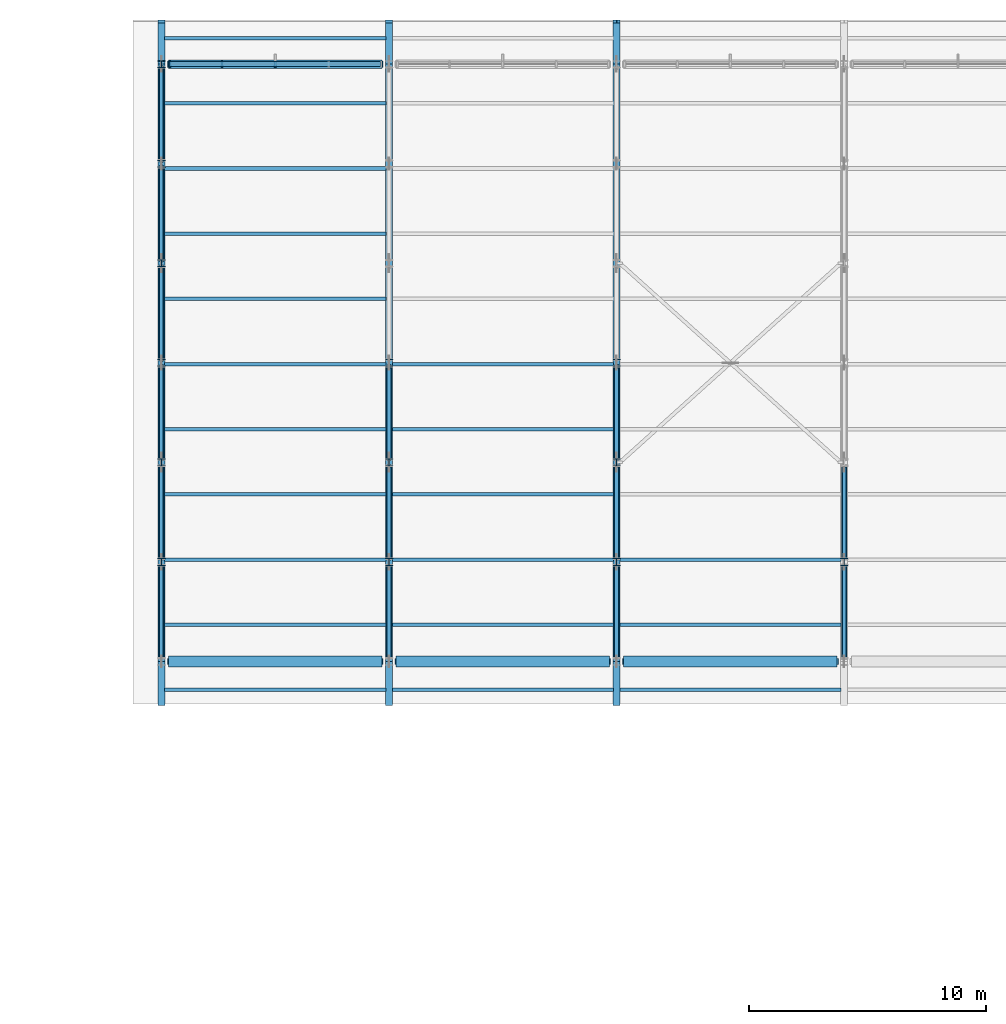
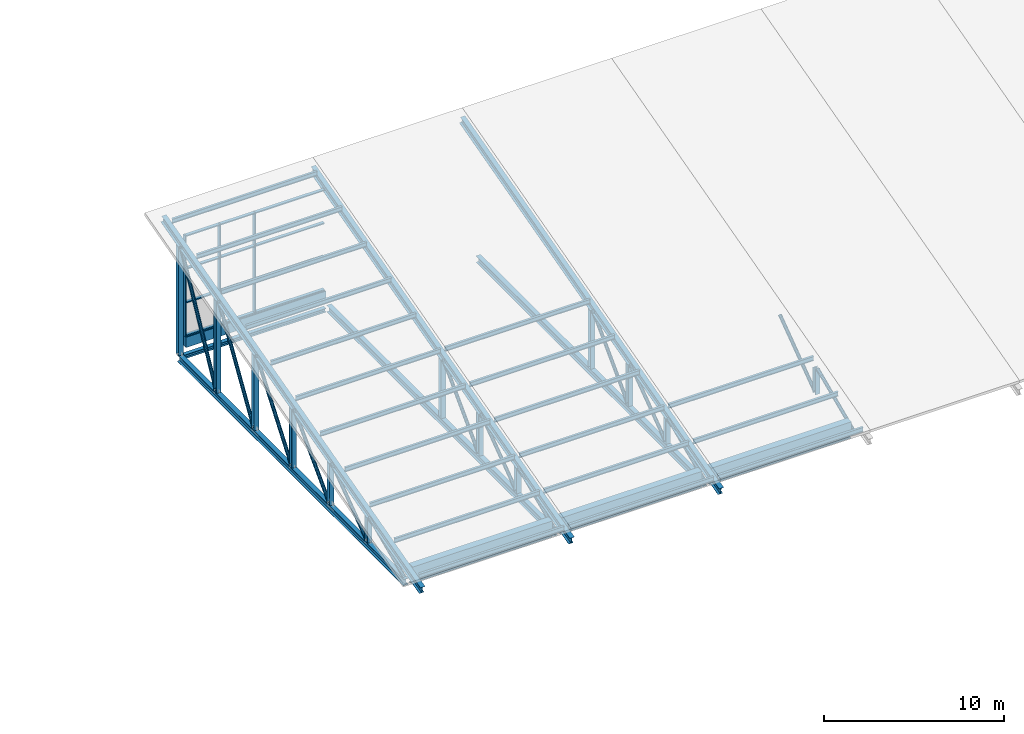
# One storey, part 4 of 37: 58 members, 10 beams, 1 element without a shape of its own.
"""IFC4 building model written with IfcOpenShell, lengths in metres."""

from ifc_helpers import new_model, si_unit, direction, frame, origin, origin_2d, place, context, subcontext, project, spatial, rectangle, hollow_circle, i_section, extrude, material, material_profile, profile_set, type_object, element, aggregate, save


model = new_model("IFC4")

# Units and contexts
model_context = context("Model", 3, precision=1e-05, world=origin(), true_north=direction((0.0, 1.0)))
body_context = subcontext(model_context, "Body", "Model", "MODEL_VIEW")
ifc_project = project(units=[si_unit("LENGTHUNIT", "METRE"), si_unit("AREAUNIT", "SQUARE_METRE"), si_unit("VOLUMEUNIT", "CUBIC_METRE"), si_unit("PLANEANGLEUNIT", "RADIAN"), si_unit("MASSUNIT", "GRAM", prefix="KILO")], contexts=[model_context])

# Site, building, storey
site_placement = place(None, origin())
site = spatial("IfcSite", under=ifc_project, at=site_placement, CompositionType="ELEMENT")
building_placement = place(site_placement, origin())
building = spatial("IfcBuilding", under=site, at=building_placement, Name="Shalvenor Court Art Gallery", CompositionType="ELEMENT")
storey_placement = place(building_placement, frame((0.0, 0.0, 22.199951171875)))
storey = spatial("IfcBuildingStorey", under=building, at=storey_placement, Name="L04", CompositionType="ELEMENT", Elevation=22.199951171875)

# Beams
ifc_material_1 = material(Name="Concrete C40/50", Category="concrete")
ifc_material_profile_1 = material_profile(ifc_material_1, rectangle(XDim=0.449951171875, YDim=0.75, at=origin_2d()), Name="RC 450x750")
ifc_profile_set_1 = profile_set([ifc_material_profile_1], Name="Concrete C40/50")
beam_type_1 = type_object("IfcBeamType", Name="B-04", PredefinedType="BEAM", material=ifc_profile_set_1)
for number, where, z_axis, x_axis, name in (
    (1, (57.89990234375, 97.199951171875, -0.675048828125), (1.0, 0.0, 0.0), (0.0, 1.0, 0.0), "L04 Girder BM-L04-B-04-1237"),
    (2, (67.5, 97.199951171875, -0.675048828125), (1.0, 0.0, 0.0), (0.0, 1.0, 0.0), "L04 Girder BM-L04-B-04-1238"),
    (3, (77.10009765625, 97.199951171875, -0.675048828125), (1.0, 0.0, 0.0), (0.0, 1.0, 0.0), "L04 Girder BM-L04-B-04-1239"),
):
    element("IfcBeam", number, at=place(storey_placement, frame(where, z_axis=z_axis, x_axis=x_axis)), inside=storey, type_object=beam_type_1, Name=name, PredefinedType="BEAM", context=body_context, shape_type="SweptSolid", body=[
        extrude(rectangle(XDim=0.449951171875, YDim=0.75, at=origin_2d()), origin(), (0.0, 0.0, 1.0), 9.0),
    ])

# Curtain wall, members
ifc_material_2 = material(Name="Anodised aluminium and low-iron glass curtain wall", Category="aluminium")
curtain_wall_type = type_object("IfcCurtainWallType", Name="CW-NL-V2", PredefinedType="USERDEFINED", material=ifc_material_2)
curtain_wall_placement = place(storey_placement, origin())
curtain_wall = element("IfcCurtainWall", 4, at=curtain_wall_placement, inside=storey, type_object=curtain_wall_type, Name="L04 V2 North Light Clerestory 1", ObjectType="CURTAIN WALL", PredefinedType="USERDEFINED")
ifc_material_3 = material(Name="Dark anodised bronze aluminium mullion", Category="aluminium")
ifc_material_profile_2 = material_profile(ifc_material_3, rectangle(XDim=0.080078125, YDim=0.239990234375, at=origin_2d()), Name="CWM-05")
ifc_profile_set_2 = profile_set([ifc_material_profile_2], Name="Dark anodised bronze aluminium mullion")
member_type_1 = type_object("IfcMemberType", Name="CWM-05", PredefinedType="MULLION", material=ifc_profile_set_2)
member_1_placement = place(storey_placement, frame((57.93994140625, 122.39990234375, 0.0), z_axis=(0.0, 0.0, 1.0), x_axis=(1.0, 0.0, 0.0)))
member_1 = element("IfcMember", 5, at=member_1_placement, type_object=member_type_1, Name="CW-NL-V2 mullion 1", PredefinedType="MULLION", context=body_context, shape_type="SweptSolid", body=[
    extrude(rectangle(XDim=0.080078125, YDim=0.239990234375, at=origin_2d()), origin(), (0.0, 0.0, 1.0), 6.85009765625),
])
member_2_placement = place(storey_placement, frame((60.14990234375, 122.39990234375, 0.0), z_axis=(0.0, 0.0, 1.0), x_axis=(1.0, 0.0, 0.0)))
member_2 = element("IfcMember", 6, at=member_2_placement, type_object=member_type_1, Name="CW-NL-V2 mullion 2", PredefinedType="MULLION", context=body_context, shape_type="SweptSolid", body=[
    extrude(rectangle(XDim=0.080078125, YDim=0.239990234375, at=origin_2d()), origin(), (0.0, 0.0, 1.0), 6.85009765625),
])
member_3_placement = place(storey_placement, frame((62.39990234375, 122.39990234375, 0.0), z_axis=(0.0, 0.0, 1.0), x_axis=(1.0, 0.0, 0.0)))
member_3 = element("IfcMember", 7, at=member_3_placement, type_object=member_type_1, Name="CW-NL-V2 mullion 3", PredefinedType="MULLION", context=body_context, shape_type="SweptSolid", body=[
    extrude(rectangle(XDim=0.080078125, YDim=0.239990234375, at=origin_2d()), origin(), (0.0, 0.0, 1.0), 6.85009765625),
])
ifc_material_4 = material(Name="Dark anodised bronze aluminium transom", Category="aluminium")
ifc_material_profile_3 = material_profile(ifc_material_4, rectangle(XDim=0.2099609375, YDim=0.074951171875, at=origin_2d()), Name="CWT-05")
ifc_profile_set_3 = profile_set([ifc_material_profile_3], Name="Dark anodised bronze aluminium transom")
member_type_2 = type_object("IfcMemberType", Name="CWT-05", PredefinedType="USERDEFINED", material=ifc_profile_set_3)
member_4_placement = place(storey_placement, frame((57.93994140625, 122.39990234375, 0.03759765625), z_axis=(1.0, 0.0, 0.0), x_axis=(0.0, 1.0, 0.0)))
member_4 = element("IfcMember", 8, at=member_4_placement, type_object=member_type_2, Name="CW-NL-V2 transom 1", ObjectType="TRANSOM", PredefinedType="USERDEFINED", context=body_context, shape_type="SweptSolid", body=[
    extrude(rectangle(XDim=0.2099609375, YDim=0.074951171875, at=origin_2d()), origin(), (0.0, 0.0, 1.0), 8.920166015625),
])
member_5_placement = place(storey_placement, frame((57.93994140625, 122.39990234375, 2.283447265625), z_axis=(1.0, 0.0, 0.0), x_axis=(0.0, 1.0, 0.0)))
member_5 = element("IfcMember", 9, at=member_5_placement, type_object=member_type_2, Name="CW-NL-V2 transom 2", ObjectType="TRANSOM", PredefinedType="USERDEFINED", context=body_context, shape_type="SweptSolid", body=[
    extrude(rectangle(XDim=0.2099609375, YDim=0.074951171875, at=origin_2d()), origin(), (0.0, 0.0, 1.0), 8.920166015625),
])
member_6_placement = place(storey_placement, frame((57.93994140625, 122.39990234375, 4.566650390625), z_axis=(1.0, 0.0, 0.0), x_axis=(0.0, 1.0, 0.0)))
member_6 = element("IfcMember", 10, at=member_6_placement, type_object=member_type_2, Name="CW-NL-V2 transom 3", ObjectType="TRANSOM", PredefinedType="USERDEFINED", context=body_context, shape_type="SweptSolid", body=[
    extrude(rectangle(XDim=0.2099609375, YDim=0.074951171875, at=origin_2d()), origin(), (0.0, 0.0, 1.0), 8.920166015625),
])
member_7_placement = place(storey_placement, frame((57.93994140625, 122.39990234375, 6.8125), z_axis=(1.0, 0.0, 0.0), x_axis=(0.0, 1.0, 0.0)))
member_7 = element("IfcMember", 11, at=member_7_placement, type_object=member_type_2, Name="CW-NL-V2 transom 4", ObjectType="TRANSOM", PredefinedType="USERDEFINED", context=body_context, shape_type="SweptSolid", body=[
    extrude(rectangle(XDim=0.2099609375, YDim=0.074951171875, at=origin_2d()), origin(), (0.0, 0.0, 1.0), 8.920166015625),
])
aggregate(curtain_wall, [member_1, member_2, member_3, member_4, member_5, member_6, member_7])

# Members
ifc_material_5 = material(Name="Steel S355", Category="steel")
ifc_material_profile_4 = material_profile(ifc_material_5, i_section(OverallWidth=0.14990234375, OverallDepth=0.300048828125, WebThickness=0.007080078125, FlangeThickness=0.0107421875, at=origin_2d()), Name="IPE 300")
ifc_profile_set_4 = profile_set([ifc_material_profile_4], Name="Steel S355")
member_type_3 = type_object("IfcMemberType", Name="PR-01", PredefinedType="PURLIN", material=ifc_profile_set_4)
for number, where, z_axis, x_axis, name in (
    (12, (57.735107421875, 98.75, 0.5009765625), (1.0, 0.0, 0.0), (0.0, 1.0, 0.0), "L04 V2 Roof Purlin 1.2"),
    (13, (57.735107421875, 101.5, 1.245849609375), (1.0, 0.0, 0.0), (0.0, 1.0, 0.0), "L04 V2 Roof Purlin 1.3"),
    (14, (57.735107421875, 104.25, 1.99072265625), (1.0, 0.0, 0.0), (0.0, 1.0, 0.0), "L04 V2 Roof Purlin 1.4"),
    (15, (57.735107421875, 107.0, 2.7353515625), (1.0, 0.0, 0.0), (0.0, 1.0, 0.0), "L04 V2 Roof Purlin 1.5"),
    (16, (57.735107421875, 109.75, 3.480224609375), (1.0, 0.0, 0.0), (0.0, 1.0, 0.0), "L04 V2 Roof Purlin 1.6"),
    (17, (57.735107421875, 112.5, 4.224853515625), (1.0, 0.0, 0.0), (0.0, 1.0, 0.0), "L04 V2 Roof Purlin 1.7"),
    (18, (57.735107421875, 115.25, 4.9697265625), (1.0, 0.0, 0.0), (0.0, 1.0, 0.0), "L04 V2 Roof Purlin 1.8"),
    (19, (57.735107421875, 118.0, 5.714599609375), (1.0, 0.0, 0.0), (0.0, 1.0, 0.0), "L04 V2 Roof Purlin 1.9"),
    (20, (57.735107421875, 120.75, 6.459228515625), (1.0, 0.0, 0.0), (0.0, 1.0, 0.0), "L04 V2 Roof Purlin 1.10"),
):
    element("IfcMember", number, at=place(storey_placement, frame(where, z_axis=z_axis, x_axis=x_axis)), inside=storey, type_object=member_type_3, Name=name, PredefinedType="PURLIN", context=body_context, shape_type="SweptSolid", body=[
        extrude(i_section(OverallWidth=0.14990234375, OverallDepth=0.300048828125, WebThickness=0.007080078125, FlangeThickness=0.0107421875, at=origin_2d()), origin(), (0.0, 0.0, 1.0), 9.329833984375),
    ])
for number, where, z_axis, x_axis, name in (
    (21, (67.3349609375, 98.75, 0.5009765625), (1.0, 0.0, 0.0), (0.0, 1.0, 0.0), "L04 V2 Roof Purlin 2.2"),
    (22, (67.3349609375, 101.5, 1.245849609375), (1.0, 0.0, 0.0), (0.0, 1.0, 0.0), "L04 V2 Roof Purlin 2.3"),
    (23, (67.3349609375, 104.25, 1.99072265625), (1.0, 0.0, 0.0), (0.0, 1.0, 0.0), "L04 V2 Roof Purlin 2.4"),
    (24, (67.3349609375, 107.0, 2.7353515625), (1.0, 0.0, 0.0), (0.0, 1.0, 0.0), "L04 V2 Roof Purlin 2.5"),
    (25, (67.3349609375, 109.75, 3.480224609375), (1.0, 0.0, 0.0), (0.0, 1.0, 0.0), "L04 V2 Roof Purlin 2.6"),
):
    element("IfcMember", number, at=place(storey_placement, frame(where, z_axis=z_axis, x_axis=x_axis)), inside=storey, type_object=member_type_3, Name=name, PredefinedType="PURLIN", context=body_context, shape_type="SweptSolid", body=[
        extrude(i_section(OverallWidth=0.14990234375, OverallDepth=0.300048828125, WebThickness=0.007080078125, FlangeThickness=0.0107421875, at=origin_2d()), origin(), (0.0, 0.0, 1.0), 9.330078125),
    ])
for number, where, z_axis, x_axis, name in (
    (26, (76.93505859375, 98.75, 0.5009765625), (1.0, 0.0, 0.0), (0.0, 1.0, 0.0), "L04 V2 Roof Purlin 3.2"),
    (27, (76.93505859375, 101.5, 1.245849609375), (1.0, 0.0, 0.0), (0.0, 1.0, 0.0), "L04 V2 Roof Purlin 3.3"),
):
    element("IfcMember", number, at=place(storey_placement, frame(where, z_axis=z_axis, x_axis=x_axis)), inside=storey, type_object=member_type_3, Name=name, PredefinedType="PURLIN", context=body_context, shape_type="SweptSolid", body=[
        extrude(i_section(OverallWidth=0.14990234375, OverallDepth=0.300048828125, WebThickness=0.007080078125, FlangeThickness=0.0107421875, at=origin_2d()), origin(), (0.0, 0.0, 1.0), 9.329833984375),
    ])
ifc_material_6 = material(Name="Steel S355", Category="steel")
ifc_material_profile_5 = material_profile(ifc_material_6, i_section(OverallWidth=0.14990234375, OverallDepth=0.300048828125, WebThickness=0.007080078125, FlangeThickness=0.0107421875, at=origin_2d()), Name="IPE 300")
ifc_profile_set_5 = profile_set([ifc_material_profile_5], Name="Steel S355")
member_type_4 = type_object("IfcMemberType", Name="PR-03", PredefinedType="PURLIN", material=ifc_profile_set_5)
for number, where, z_axis, x_axis, name in (
    (28, (57.735107421875, 96.0, -0.24365234375), (1.0, 0.0, 0.0), (0.0, 1.0, 0.0), "L04 V2 Roof Purlin 1.1"),
    (29, (57.735107421875, 123.5, 7.2041015625), (1.0, 0.0, 0.0), (0.0, 1.0, 0.0), "L04 V2 Roof Purlin 1.11"),
):
    element("IfcMember", number, at=place(storey_placement, frame(where, z_axis=z_axis, x_axis=x_axis)), inside=storey, type_object=member_type_4, Name=name, PredefinedType="PURLIN", context=body_context, shape_type="SweptSolid", body=[
        extrude(i_section(OverallWidth=0.14990234375, OverallDepth=0.300048828125, WebThickness=0.007080078125, FlangeThickness=0.0107421875, at=origin_2d()), origin(), (0.0, 0.0, 1.0), 9.329833984375),
    ])
member_8_placement = place(storey_placement, frame((67.3349609375, 96.0, -0.24365234375), z_axis=(1.0, 0.0, 0.0), x_axis=(0.0, 1.0, 0.0)))
element("IfcMember", 30, at=member_8_placement, inside=storey, type_object=member_type_4, Name="L04 V2 Roof Purlin 2.1", PredefinedType="PURLIN", context=body_context, shape_type="SweptSolid", body=[
    extrude(i_section(OverallWidth=0.14990234375, OverallDepth=0.300048828125, WebThickness=0.007080078125, FlangeThickness=0.0107421875, at=origin_2d()), origin(), (0.0, 0.0, 1.0), 9.330078125),
])
member_9_placement = place(storey_placement, frame((76.93505859375, 96.0, -0.24365234375), z_axis=(1.0, 0.0, 0.0), x_axis=(0.0, 1.0, 0.0)))
element("IfcMember", 31, at=member_9_placement, inside=storey, type_object=member_type_4, Name="L04 V2 Roof Purlin 3.1", PredefinedType="PURLIN", context=body_context, shape_type="SweptSolid", body=[
    extrude(i_section(OverallWidth=0.14990234375, OverallDepth=0.300048828125, WebThickness=0.007080078125, FlangeThickness=0.0107421875, at=origin_2d()), origin(), (0.0, 0.0, 1.0), 9.329833984375),
])

# Beams
ifc_material_7 = material(Name="Concrete C40/50", Category="concrete")
ifc_material_profile_6 = material_profile(ifc_material_7, rectangle(XDim=0.35009765625, YDim=0.699951171875, at=origin_2d()), Name="RC 350x700")
ifc_profile_set_6 = profile_set([ifc_material_profile_6], Name="Concrete C40/50")
beam_type_2 = type_object("IfcBeamType", Name="SP-01", PredefinedType="SPANDREL", material=ifc_profile_set_6)
beam_placement = place(storey_placement, frame((57.89990234375, 122.39990234375, -0.349853515625), z_axis=(1.0, 0.0, 0.0), x_axis=(0.0, 1.0, 0.0)))
element("IfcBeam", 32, at=beam_placement, inside=storey, type_object=beam_type_2, Name="L04 Spandrel Girder BM-L04-SP-01-1248", PredefinedType="SPANDREL", context=body_context, shape_type="SweptSolid", body=[
    extrude(rectangle(XDim=0.35009765625, YDim=0.699951171875, at=origin_2d()), origin(), (0.0, 0.0, 1.0), 9.0),
])
ifc_material_8 = material(Name="Steel S355", Category="steel")
ifc_material_profile_7 = material_profile(ifc_material_8, i_section(OverallWidth=0.300048828125, OverallDepth=0.489990234375, WebThickness=0.011962890625, FlangeThickness=0.02294921875, at=origin_2d()), Name="HEA 500")
ifc_profile_set_7 = profile_set([ifc_material_profile_7], Name="Steel S355")
beam_type_3 = type_object("IfcBeamType", Name="TC-01", PredefinedType="USERDEFINED", material=ifc_profile_set_7)
for number, where, z_axis, x_axis, name in (
    (33, (57.60009765625, 95.39990234375, -0.793212890625), (0.0, 0.965226070832, 0.261416587437), (-1.0, 0.0, 0.0), "TR-V2-01 Roof Truss Continuous Top Chord"),
    (34, (67.199951171875, 95.39990234375, -0.793212890625), (0.0, 0.965226070832, 0.261416587437), (-1.0, 0.0, 0.0), "TR-V2-02 Roof Truss Continuous Top Chord"),
    (35, (76.800048828125, 95.39990234375, -0.793212890625), (0.0, 0.965226070832, 0.261416587437), (-1.0, 0.0, 0.0), "TR-V2-03 Roof Truss Continuous Top Chord"),
):
    element("IfcBeam", number, at=place(storey_placement, frame(where, z_axis=z_axis, x_axis=x_axis)), inside=storey, type_object=beam_type_3, Name=name, ObjectType="ROOF TRUSS", PredefinedType="USERDEFINED", context=body_context, shape_type="SweptSolid", body=[
        extrude(i_section(OverallWidth=0.300048828125, OverallDepth=0.489990234375, WebThickness=0.011962890625, FlangeThickness=0.02294921875, at=origin_2d()), origin(), (0.0, 0.0, 1.0), 29.837646484375),
    ])
ifc_material_9 = material(Name="Steel S355", Category="steel")
ifc_material_profile_8 = material_profile(ifc_material_9, i_section(OverallWidth=0.300048828125, OverallDepth=0.449951171875, WebThickness=0.013916015625, FlangeThickness=0.02587890625, at=origin_2d()), Name="HEB 450")
ifc_profile_set_8 = profile_set([ifc_material_profile_8], Name="Steel S355")
beam_type_4 = type_object("IfcBeamType", Name="TC-03", PredefinedType="USERDEFINED", material=ifc_profile_set_8)
for number, where, z_axis, x_axis, name in (
    (36, (57.60009765625, 97.199951171875, -1.349853515625), (0.0, 1.0, 0.0), (-1.0, 0.0, 0.0), "TR-V2-01 Roof Truss Continuous Bottom Chord"),
    (37, (67.199951171875, 97.199951171875, -1.349853515625), (0.0, 1.0, 0.0), (-1.0, 0.0, 0.0), "TR-V2-02 Roof Truss Continuous Bottom Chord"),
    (38, (76.800048828125, 97.199951171875, -1.349853515625), (0.0, 1.0, 0.0), (-1.0, 0.0, 0.0), "TR-V2-03 Roof Truss Continuous Bottom Chord"),
):
    element("IfcBeam", number, at=place(storey_placement, frame(where, z_axis=z_axis, x_axis=x_axis)), inside=storey, type_object=beam_type_4, Name=name, ObjectType="ROOF TRUSS", PredefinedType="USERDEFINED", context=body_context, shape_type="SweptSolid", body=[
        extrude(i_section(OverallWidth=0.300048828125, OverallDepth=0.449951171875, WebThickness=0.013916015625, FlangeThickness=0.02587890625, at=origin_2d()), origin(), (0.0, 0.0, 1.0), 25.199951171875),
    ])

# Members
ifc_material_10 = material(Name="Steel S355", Category="steel")
ifc_material_profile_9 = material_profile(ifc_material_10, i_section(OverallWidth=0.260009765625, OverallDepth=0.260009765625, WebThickness=0.010009765625, FlangeThickness=0.017578125, at=origin_2d()), Name="HEB 260")
ifc_profile_set_9 = profile_set([ifc_material_profile_9], Name="Steel S355")
member_type_5 = type_object("IfcMemberType", Name="TM-C1", PredefinedType="CHORD", material=ifc_profile_set_9)
for number, where, z_axis, x_axis, name in (
    (39, (57.85009765625, 97.199951171875, -1.349853515625), (1.0, 0.0, 0.0), (0.0, 1.0, 0.0), "L04 V2 Eave Truss Chord Tie 1.1"),
    (40, (57.85009765625, 122.39990234375, -1.349853515625), (1.0, 0.0, 0.0), (0.0, 1.0, 0.0), "L04 V2 Eave Truss Chord Tie 1.2"),
):
    element("IfcMember", number, at=place(storey_placement, frame(where, z_axis=z_axis, x_axis=x_axis)), inside=storey, type_object=member_type_5, Name=name, PredefinedType="CHORD", context=body_context, shape_type="SweptSolid", body=[
        extrude(i_section(OverallWidth=0.260009765625, OverallDepth=0.260009765625, WebThickness=0.010009765625, FlangeThickness=0.017578125, at=origin_2d()), origin(), (0.0, 0.0, 1.0), 9.099853515625),
    ])
member_10_placement = place(storey_placement, frame((67.449951171875, 97.199951171875, -1.349853515625), z_axis=(1.0, 0.0, 0.0), x_axis=(0.0, 1.0, 0.0)))
element("IfcMember", 41, at=member_10_placement, inside=storey, type_object=member_type_5, Name="L04 V2 Eave Truss Chord Tie 2.1", PredefinedType="CHORD", context=body_context, shape_type="SweptSolid", body=[
    extrude(i_section(OverallWidth=0.260009765625, OverallDepth=0.260009765625, WebThickness=0.010009765625, FlangeThickness=0.017578125, at=origin_2d()), origin(), (0.0, 0.0, 1.0), 9.10009765625),
])
member_11_placement = place(storey_placement, frame((77.050048828125, 97.199951171875, -1.349853515625), z_axis=(1.0, 0.0, 0.0), x_axis=(0.0, 1.0, 0.0)))
element("IfcMember", 42, at=member_11_placement, inside=storey, type_object=member_type_5, Name="L04 V2 Eave Truss Chord Tie 3.1", PredefinedType="CHORD", context=body_context, shape_type="SweptSolid", body=[
    extrude(i_section(OverallWidth=0.260009765625, OverallDepth=0.260009765625, WebThickness=0.010009765625, FlangeThickness=0.017578125, at=origin_2d()), origin(), (0.0, 0.0, 1.0), 9.099853515625),
])
ifc_material_11 = material(Name="Steel S355", Category="steel")
ifc_material_profile_10 = material_profile(ifc_material_11, hollow_circle(Radius=0.109619140625, WallThickness=0.010009765625, at=origin_2d()), Name="CHS 219.1x10.0")
ifc_profile_set_10 = profile_set([ifc_material_profile_10], Name="Steel S355")
member_type_6 = type_object("IfcMemberType", Name="TM-D1", PredefinedType="BRACE", material=ifc_profile_set_10)
member_12_placement = place(storey_placement, frame((57.60009765625, 97.340087890625, -1.135009765625), z_axis=(0.0, 0.914718437716, 0.404091796134), x_axis=(-1.0, 0.0, 0.0)))
element("IfcMember", 43, at=member_12_placement, inside=storey, type_object=member_type_6, Name="TR-V2-01 Roof Truss Diagonal 1", PredefinedType="BRACE", context=body_context, shape_type="SweptSolid", body=[
    extrude(hollow_circle(Radius=0.109619140625, WallThickness=0.010009765625, at=origin_2d()), origin(), (0.0, 0.0, 1.0), 4.285400390625),
])
member_13_placement = place(storey_placement, frame((57.60009765625, 101.5400390625, -1.135009765625), z_axis=(0.0, 0.80694152296, 0.590631338928), x_axis=(-1.0, 0.0, 0.0)))
element("IfcMember", 44, at=member_13_placement, inside=storey, type_object=member_type_6, Name="TR-V2-01 Roof Truss Diagonal 2", PredefinedType="BRACE", context=body_context, shape_type="SweptSolid", body=[
    extrude(hollow_circle(Radius=0.109619140625, WallThickness=0.010009765625, at=origin_2d()), origin(), (0.0, 0.0, 1.0), 4.857666015625),
])
member_14_placement = place(storey_placement, frame((57.60009765625, 105.739990234375, -1.135009765625), z_axis=(0.0, 0.699311572862, 0.714816986411), x_axis=(-1.0, 0.0, 0.0)))
element("IfcMember", 45, at=member_14_placement, inside=storey, type_object=member_type_6, Name="TR-V2-01 Roof Truss Diagonal 3", PredefinedType="BRACE", context=body_context, shape_type="SweptSolid", body=[
    extrude(hollow_circle(Radius=0.109619140625, WallThickness=0.010009765625, at=origin_2d()), origin(), (0.0, 0.0, 1.0), 5.60546875),
])
member_15_placement = place(storey_placement, frame((57.60009765625, 109.93994140625, -1.135009765625), z_axis=(0.0, 0.606112588318, 0.79537885959), x_axis=(-1.0, 0.0, 0.0)))
element("IfcMember", 46, at=member_15_placement, inside=storey, type_object=member_type_6, Name="TR-V2-01 Roof Truss Diagonal 4", PredefinedType="BRACE", context=body_context, shape_type="SweptSolid", body=[
    extrude(hollow_circle(Radius=0.109619140625, WallThickness=0.010009765625, at=origin_2d()), origin(), (0.0, 0.0, 1.0), 6.4677734375),
])
member_16_placement = place(storey_placement, frame((57.60009765625, 114.139892578125, -1.135009765625), z_axis=(0.0, 0.529423853973, 0.848357461713), x_axis=(-1.0, 0.0, 0.0)))
element("IfcMember", 47, at=member_16_placement, inside=storey, type_object=member_type_6, Name="TR-V2-01 Roof Truss Diagonal 5", PredefinedType="BRACE", context=body_context, shape_type="SweptSolid", body=[
    extrude(hollow_circle(Radius=0.109619140625, WallThickness=0.010009765625, at=origin_2d()), origin(), (0.0, 0.0, 1.0), 7.404541015625),
])
member_17_placement = place(storey_placement, frame((57.60009765625, 118.340087890625, -1.135009765625), z_axis=(0.0, 0.467153650575, 0.884176151428), x_axis=(-1.0, 0.0, 0.0)))
element("IfcMember", 48, at=member_17_placement, inside=storey, type_object=member_type_6, Name="TR-V2-01 Roof Truss Diagonal 6", PredefinedType="BRACE", context=body_context, shape_type="SweptSolid", body=[
    extrude(hollow_circle(Radius=0.109619140625, WallThickness=0.010009765625, at=origin_2d()), origin(), (0.0, 0.0, 1.0), 8.39111328125),
])
member_18_placement = place(storey_placement, frame((67.199951171875, 97.340087890625, -1.135009765625), z_axis=(0.0, 0.914718437716, 0.404091796134), x_axis=(-1.0, 0.0, 0.0)))
element("IfcMember", 49, at=member_18_placement, inside=storey, type_object=member_type_6, Name="TR-V2-02 Roof Truss Diagonal 1", PredefinedType="BRACE", context=body_context, shape_type="SweptSolid", body=[
    extrude(hollow_circle(Radius=0.109619140625, WallThickness=0.010009765625, at=origin_2d()), origin(), (0.0, 0.0, 1.0), 4.285400390625),
])
member_19_placement = place(storey_placement, frame((67.199951171875, 101.5400390625, -1.135009765625), z_axis=(0.0, 0.80694152296, 0.590631338928), x_axis=(-1.0, 0.0, 0.0)))
element("IfcMember", 50, at=member_19_placement, inside=storey, type_object=member_type_6, Name="TR-V2-02 Roof Truss Diagonal 2", PredefinedType="BRACE", context=body_context, shape_type="SweptSolid", body=[
    extrude(hollow_circle(Radius=0.109619140625, WallThickness=0.010009765625, at=origin_2d()), origin(), (0.0, 0.0, 1.0), 4.857666015625),
])
member_20_placement = place(storey_placement, frame((67.199951171875, 105.739990234375, -1.135009765625), z_axis=(0.0, 0.699311572862, 0.714816986411), x_axis=(-1.0, 0.0, 0.0)))
element("IfcMember", 51, at=member_20_placement, inside=storey, type_object=member_type_6, Name="TR-V2-02 Roof Truss Diagonal 3", PredefinedType="BRACE", context=body_context, shape_type="SweptSolid", body=[
    extrude(hollow_circle(Radius=0.109619140625, WallThickness=0.010009765625, at=origin_2d()), origin(), (0.0, 0.0, 1.0), 5.60546875),
])
member_21_placement = place(storey_placement, frame((76.800048828125, 97.340087890625, -1.135009765625), z_axis=(0.0, 0.914718437716, 0.404091796134), x_axis=(-1.0, 0.0, 0.0)))
element("IfcMember", 52, at=member_21_placement, inside=storey, type_object=member_type_6, Name="TR-V2-03 Roof Truss Diagonal 1", PredefinedType="BRACE", context=body_context, shape_type="SweptSolid", body=[
    extrude(hollow_circle(Radius=0.109619140625, WallThickness=0.010009765625, at=origin_2d()), origin(), (0.0, 0.0, 1.0), 4.285400390625),
])
member_22_placement = place(storey_placement, frame((76.800048828125, 101.5400390625, -1.135009765625), z_axis=(0.0, 0.80694152296, 0.590631338928), x_axis=(-1.0, 0.0, 0.0)))
element("IfcMember", 53, at=member_22_placement, inside=storey, type_object=member_type_6, Name="TR-V2-03 Roof Truss Diagonal 2", PredefinedType="BRACE", context=body_context, shape_type="SweptSolid", body=[
    extrude(hollow_circle(Radius=0.109619140625, WallThickness=0.010009765625, at=origin_2d()), origin(), (0.0, 0.0, 1.0), 4.857666015625),
])
member_23_placement = place(storey_placement, frame((76.800048828125, 105.739990234375, -1.135009765625), z_axis=(0.0, 0.699311572862, 0.714816986411), x_axis=(-1.0, 0.0, 0.0)))
element("IfcMember", 54, at=member_23_placement, inside=storey, type_object=member_type_6, Name="TR-V2-03 Roof Truss Diagonal 3", PredefinedType="BRACE", context=body_context, shape_type="SweptSolid", body=[
    extrude(hollow_circle(Radius=0.109619140625, WallThickness=0.010009765625, at=origin_2d()), origin(), (0.0, 0.0, 1.0), 5.60546875),
])
member_24_placement = place(storey_placement, frame((86.39990234375, 97.340087890625, -1.135009765625), z_axis=(0.0, 0.914718437716, 0.404091796134), x_axis=(-1.0, 0.0, 0.0)))
element("IfcMember", 55, at=member_24_placement, inside=storey, type_object=member_type_6, Name="TR-V2-04 Roof Truss Diagonal 1", PredefinedType="BRACE", context=body_context, shape_type="SweptSolid", body=[
    extrude(hollow_circle(Radius=0.109619140625, WallThickness=0.010009765625, at=origin_2d()), origin(), (0.0, 0.0, 1.0), 4.285400390625),
])
member_25_placement = place(storey_placement, frame((86.39990234375, 101.5400390625, -1.135009765625), z_axis=(0.0, 0.80694152296, 0.590631338928), x_axis=(-1.0, 0.0, 0.0)))
element("IfcMember", 56, at=member_25_placement, inside=storey, type_object=member_type_6, Name="TR-V2-04 Roof Truss Diagonal 2", PredefinedType="BRACE", context=body_context, shape_type="SweptSolid", body=[
    extrude(hollow_circle(Radius=0.109619140625, WallThickness=0.010009765625, at=origin_2d()), origin(), (0.0, 0.0, 1.0), 4.857666015625),
])
ifc_material_12 = material(Name="Steel S355", Category="steel")
ifc_material_profile_11 = material_profile(ifc_material_12, i_section(OverallWidth=0.300048828125, OverallDepth=0.300048828125, WebThickness=0.010986328125, FlangeThickness=0.01904296875, at=origin_2d()), Name="HEB 300")
ifc_profile_set_11 = profile_set([ifc_material_profile_11], Name="Steel S355")
member_type_7 = type_object("IfcMemberType", Name="TM-V2", PredefinedType="STRUT", material=ifc_profile_set_11)
member_26_placement = place(storey_placement, frame((57.60009765625, 101.39990234375, -1.1298828125), z_axis=(0.0, 0.0, 1.0), x_axis=(1.0, 0.0, 0.0)))
element("IfcMember", 57, at=member_26_placement, inside=storey, type_object=member_type_7, Name="TR-V2-01 Roof Truss Vertical 2", PredefinedType="STRUT", context=body_context, shape_type="SweptSolid", body=[
    extrude(i_section(OverallWidth=0.300048828125, OverallDepth=0.300048828125, WebThickness=0.010986328125, FlangeThickness=0.01904296875, at=origin_2d()), origin(), (0.0, 0.0, 1.0), 1.7216796875),
])
member_27_placement = place(storey_placement, frame((57.60009765625, 105.60009765625, -1.1298828125), z_axis=(0.0, 0.0, 1.0), x_axis=(1.0, 0.0, 0.0)))
element("IfcMember", 58, at=member_27_placement, inside=storey, type_object=member_type_7, Name="TR-V2-01 Roof Truss Vertical 3", PredefinedType="STRUT", context=body_context, shape_type="SweptSolid", body=[
    extrude(i_section(OverallWidth=0.300048828125, OverallDepth=0.300048828125, WebThickness=0.010986328125, FlangeThickness=0.01904296875, at=origin_2d()), origin(), (0.0, 0.0, 1.0), 2.859130859375),
])
member_28_placement = place(storey_placement, frame((57.60009765625, 109.800048828125, -1.1298828125), z_axis=(0.0, 0.0, 1.0), x_axis=(1.0, 0.0, 0.0)))
element("IfcMember", 59, at=member_28_placement, inside=storey, type_object=member_type_7, Name="TR-V2-01 Roof Truss Vertical 4", PredefinedType="STRUT", context=body_context, shape_type="SweptSolid", body=[
    extrude(i_section(OverallWidth=0.300048828125, OverallDepth=0.300048828125, WebThickness=0.010986328125, FlangeThickness=0.01904296875, at=origin_2d()), origin(), (0.0, 0.0, 1.0), 3.99658203125),
])
member_29_placement = place(storey_placement, frame((57.60009765625, 114.0, -1.1298828125), z_axis=(0.0, 0.0, 1.0), x_axis=(1.0, 0.0, 0.0)))
element("IfcMember", 60, at=member_29_placement, inside=storey, type_object=member_type_7, Name="TR-V2-01 Roof Truss Vertical 5", PredefinedType="STRUT", context=body_context, shape_type="SweptSolid", body=[
    extrude(i_section(OverallWidth=0.300048828125, OverallDepth=0.300048828125, WebThickness=0.010986328125, FlangeThickness=0.01904296875, at=origin_2d()), origin(), (0.0, 0.0, 1.0), 5.134033203125),
])
member_30_placement = place(storey_placement, frame((57.60009765625, 118.199951171875, -1.1298828125), z_axis=(0.0, 0.0, 1.0), x_axis=(1.0, 0.0, 0.0)))
element("IfcMember", 61, at=member_30_placement, inside=storey, type_object=member_type_7, Name="TR-V2-01 Roof Truss Vertical 6", PredefinedType="STRUT", context=body_context, shape_type="SweptSolid", body=[
    extrude(i_section(OverallWidth=0.300048828125, OverallDepth=0.300048828125, WebThickness=0.010986328125, FlangeThickness=0.01904296875, at=origin_2d()), origin(), (0.0, 0.0, 1.0), 6.271728515625),
])
member_31_placement = place(storey_placement, frame((57.60009765625, 122.39990234375, -1.1298828125), z_axis=(0.0, 0.0, 1.0), x_axis=(1.0, 0.0, 0.0)))
element("IfcMember", 62, at=member_31_placement, inside=storey, type_object=member_type_7, Name="TR-V2-01 Roof Truss Vertical 7", PredefinedType="STRUT", context=body_context, shape_type="SweptSolid", body=[
    extrude(i_section(OverallWidth=0.300048828125, OverallDepth=0.300048828125, WebThickness=0.010986328125, FlangeThickness=0.01904296875, at=origin_2d()), origin(), (0.0, 0.0, 1.0), 7.4091796875),
])
member_32_placement = place(storey_placement, frame((67.199951171875, 101.39990234375, -1.1298828125), z_axis=(0.0, 0.0, 1.0), x_axis=(1.0, 0.0, 0.0)))
element("IfcMember", 63, at=member_32_placement, inside=storey, type_object=member_type_7, Name="TR-V2-02 Roof Truss Vertical 2", PredefinedType="STRUT", context=body_context, shape_type="SweptSolid", body=[
    extrude(i_section(OverallWidth=0.300048828125, OverallDepth=0.300048828125, WebThickness=0.010986328125, FlangeThickness=0.01904296875, at=origin_2d()), origin(), (0.0, 0.0, 1.0), 1.7216796875),
])
member_33_placement = place(storey_placement, frame((67.199951171875, 105.60009765625, -1.1298828125), z_axis=(0.0, 0.0, 1.0), x_axis=(1.0, 0.0, 0.0)))
element("IfcMember", 64, at=member_33_placement, inside=storey, type_object=member_type_7, Name="TR-V2-02 Roof Truss Vertical 3", PredefinedType="STRUT", context=body_context, shape_type="SweptSolid", body=[
    extrude(i_section(OverallWidth=0.300048828125, OverallDepth=0.300048828125, WebThickness=0.010986328125, FlangeThickness=0.01904296875, at=origin_2d()), origin(), (0.0, 0.0, 1.0), 2.859130859375),
])
member_34_placement = place(storey_placement, frame((67.199951171875, 109.800048828125, -1.1298828125), z_axis=(0.0, 0.0, 1.0), x_axis=(1.0, 0.0, 0.0)))
element("IfcMember", 65, at=member_34_placement, inside=storey, type_object=member_type_7, Name="TR-V2-02 Roof Truss Vertical 4", PredefinedType="STRUT", context=body_context, shape_type="SweptSolid", body=[
    extrude(i_section(OverallWidth=0.300048828125, OverallDepth=0.300048828125, WebThickness=0.010986328125, FlangeThickness=0.01904296875, at=origin_2d()), origin(), (0.0, 0.0, 1.0), 3.99658203125),
])
member_35_placement = place(storey_placement, frame((76.800048828125, 101.39990234375, -1.1298828125), z_axis=(0.0, 0.0, 1.0), x_axis=(1.0, 0.0, 0.0)))
element("IfcMember", 66, at=member_35_placement, inside=storey, type_object=member_type_7, Name="TR-V2-03 Roof Truss Vertical 2", PredefinedType="STRUT", context=body_context, shape_type="SweptSolid", body=[
    extrude(i_section(OverallWidth=0.300048828125, OverallDepth=0.300048828125, WebThickness=0.010986328125, FlangeThickness=0.01904296875, at=origin_2d()), origin(), (0.0, 0.0, 1.0), 1.7216796875),
])
member_36_placement = place(storey_placement, frame((76.800048828125, 105.60009765625, -1.1298828125), z_axis=(0.0, 0.0, 1.0), x_axis=(1.0, 0.0, 0.0)))
element("IfcMember", 67, at=member_36_placement, inside=storey, type_object=member_type_7, Name="TR-V2-03 Roof Truss Vertical 3", PredefinedType="STRUT", context=body_context, shape_type="SweptSolid", body=[
    extrude(i_section(OverallWidth=0.300048828125, OverallDepth=0.300048828125, WebThickness=0.010986328125, FlangeThickness=0.01904296875, at=origin_2d()), origin(), (0.0, 0.0, 1.0), 2.859130859375),
])
member_37_placement = place(storey_placement, frame((76.800048828125, 109.800048828125, -1.1298828125), z_axis=(0.0, 0.0, 1.0), x_axis=(1.0, 0.0, 0.0)))
element("IfcMember", 68, at=member_37_placement, inside=storey, type_object=member_type_7, Name="TR-V2-03 Roof Truss Vertical 4", PredefinedType="STRUT", context=body_context, shape_type="SweptSolid", body=[
    extrude(i_section(OverallWidth=0.300048828125, OverallDepth=0.300048828125, WebThickness=0.010986328125, FlangeThickness=0.01904296875, at=origin_2d()), origin(), (0.0, 0.0, 1.0), 3.99658203125),
])
member_38_placement = place(storey_placement, frame((86.39990234375, 101.39990234375, -1.1298828125), z_axis=(0.0, 0.0, 1.0), x_axis=(1.0, 0.0, 0.0)))
element("IfcMember", 69, at=member_38_placement, inside=storey, type_object=member_type_7, Name="TR-V2-04 Roof Truss Vertical 2", PredefinedType="STRUT", context=body_context, shape_type="SweptSolid", body=[
    extrude(i_section(OverallWidth=0.300048828125, OverallDepth=0.300048828125, WebThickness=0.010986328125, FlangeThickness=0.01904296875, at=origin_2d()), origin(), (0.0, 0.0, 1.0), 1.7216796875),
])

save(model, "model.ifc")
